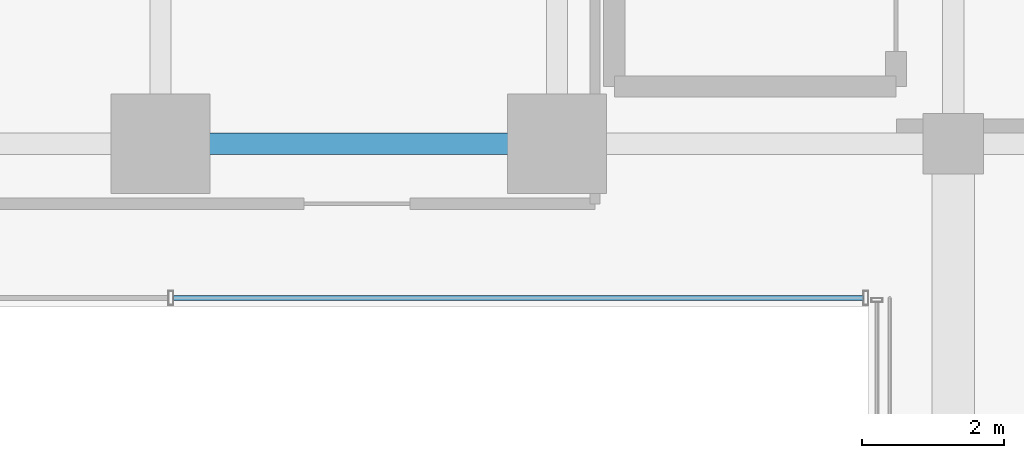
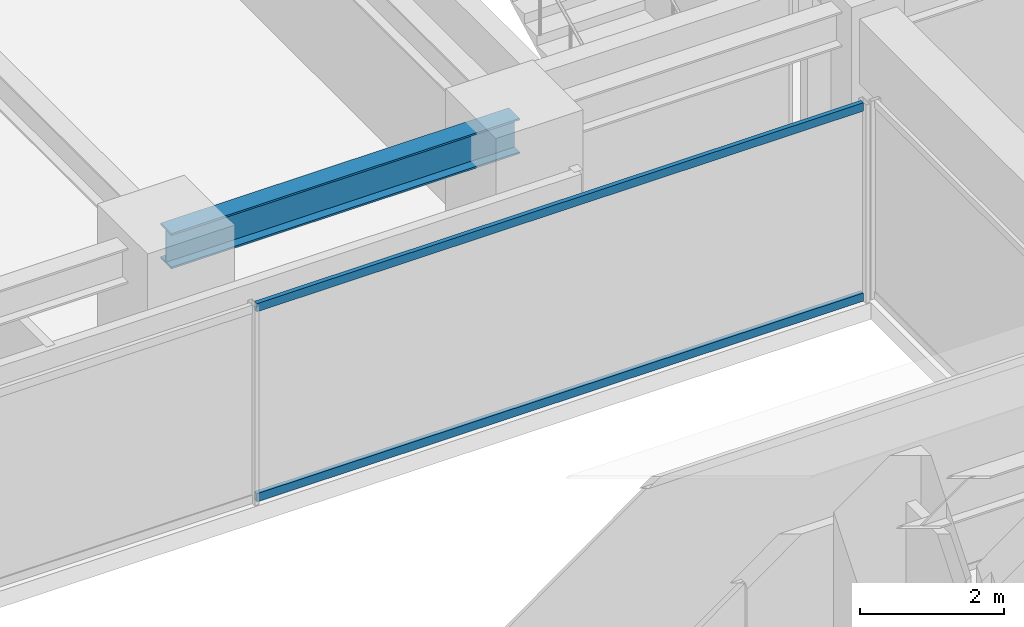
# One storey, part 11 of 43: 2 members, 1 beam, 1 element without a shape of its own.
"""IFC4 building model written with IfcOpenShell, lengths in metres."""

from ifc_helpers import new_model, si_unit, direction, frame, origin, origin_2d, place, context, subcontext, project, spatial, hollow_rectangle, i_section, extrude, source, transform, mapped, material, material_profile, profile_set, type_object, element, aggregate, save


model = new_model("IFC4")

# Units and contexts
model_context = context("Model", 3, precision=1e-05, world=origin(), true_north=direction((0.0, 1.0)))
body_context = subcontext(model_context, "Body", "Model", "MODEL_VIEW")
ifc_project = project(units=[si_unit("LENGTHUNIT", "METRE"), si_unit("AREAUNIT", "SQUARE_METRE"), si_unit("VOLUMEUNIT", "CUBIC_METRE"), si_unit("PLANEANGLEUNIT", "RADIAN"), si_unit("MASSUNIT", "GRAM", prefix="KILO")], contexts=[model_context])

# Site, building, storey
site_placement = place(None, origin())
site = spatial("IfcSite", under=ifc_project, at=site_placement, CompositionType="ELEMENT")
building_placement = place(site_placement, origin())
building = spatial("IfcBuilding", under=site, at=building_placement, Name="Nahalor Promenade Grand Hotel", CompositionType="ELEMENT")
storey_placement = place(building_placement, frame((0.0, 0.0, 47.0)))
storey = spatial("IfcBuildingStorey", under=building, at=storey_placement, Name="L10", CompositionType="ELEMENT", Elevation=47.0)

# Beam
ifc_material_1 = material(Name="Steel S355JR", Category="steel")
ifc_material_profile_1 = material_profile(ifc_material_1, i_section(OverallWidth=0.3, OverallDepth=0.6, WebThickness=0.0155, FlangeThickness=0.03, at=origin_2d()), Name="HEB 600")
ifc_profile_set_1 = profile_set([ifc_material_profile_1], Name="Steel S355JR")
beam_type = type_object("IfcBeamType", Name="Beam-Girder-HEB600", PredefinedType="BEAM", material=ifc_profile_set_1)
shared_shape_1 = source(origin(), body_context, "Body", "SweptSolid", [
    extrude(i_section(OverallWidth=0.3, OverallDepth=0.6, WebThickness=0.0155, FlangeThickness=0.03, at=origin_2d()), origin(), (0.0, 0.0, 1.0), 5.60009765625),
])
beam_placement = place(storey_placement, frame((-2.800048828125, 5.39990234375, 3.070068359375), z_axis=(1.0, 0.0, 0.0), x_axis=(0.0, 1.0, 0.0)))
element("IfcBeam", 1, at=beam_placement, inside=storey, type_object=beam_type, Name="BM-L10-GX-2-3", PredefinedType="BEAM", context=body_context, shape_type="MappedRepresentation", body=[
    mapped(shared_shape_1, transform((0.0, 0.0, 0.0), scale=1.0)),
])

# Curtain wall, members
ifc_material_2 = material(Name="Anodised Bronze Aluminium EN AW-6063 T6", Category="aluminium")
curtain_wall_type = type_object("IfcCurtainWallType", Name="CW3 Elliptical-Void Collar Unitised Curtain Wall", PredefinedType="USERDEFINED", material=ifc_material_2)
curtain_wall_placement = place(storey_placement, origin())
curtain_wall = element("IfcCurtainWall", 2, at=curtain_wall_placement, inside=storey, type_object=curtain_wall_type, Name="L10 Curtain Wall CW-L10-VOID-WN1", ObjectType="UNITISED_CURTAIN_WALL", PredefinedType="USERDEFINED")
ifc_material_profile_2 = material_profile(ifc_material_2, hollow_rectangle(XDim=0.07, YDim=0.14, WallThickness=0.004, at=origin_2d()), Name="CWT 70x140x4")
ifc_profile_set_2 = profile_set([ifc_material_profile_2], Name="Anodised Bronze Aluminium EN AW-6063 T6")
member_type = type_object("IfcMemberType", Name="CWT3 Void Collar Transom 70x140", PredefinedType="USERDEFINED", material=ifc_profile_set_2)
shared_shape_2 = source(origin(), body_context, "Body", "SweptSolid", [
    extrude(hollow_rectangle(XDim=0.07, YDim=0.14, WallThickness=0.004, at=origin_2d()), origin(), (0.0, 0.0, 1.0), 9.748291015625),
])
member_1_placement = place(storey_placement, frame((-2.618408203125, 3.219970703125, 0.070068359375), z_axis=(1.0, 0.0, 0.0), x_axis=(0.0, 1.0, 0.0)))
member_1 = element("IfcMember", 3, at=member_1_placement, type_object=member_type, Name="CW-L10-VOID-WN1 Transom 2-0", ObjectType="TRANSOM", PredefinedType="USERDEFINED", context=body_context, shape_type="MappedRepresentation", body=[
    mapped(shared_shape_2, transform((0.0, 0.0, 0.0), scale=1.0)),
])
member_2_placement = place(storey_placement, frame((-2.618408203125, 3.219970703125, 3.300048828125), z_axis=(1.0, 0.0, 0.0), x_axis=(0.0, 1.0, 0.0)))
member_2 = element("IfcMember", 4, at=member_2_placement, type_object=member_type, Name="CW-L10-VOID-WN1 Transom 2-1", ObjectType="TRANSOM", PredefinedType="USERDEFINED", context=body_context, shape_type="MappedRepresentation", body=[
    mapped(shared_shape_2, transform((0.0, 0.0, 0.0), scale=1.0)),
])
aggregate(curtain_wall, [member_1, member_2])

save(model, "model.ifc")
